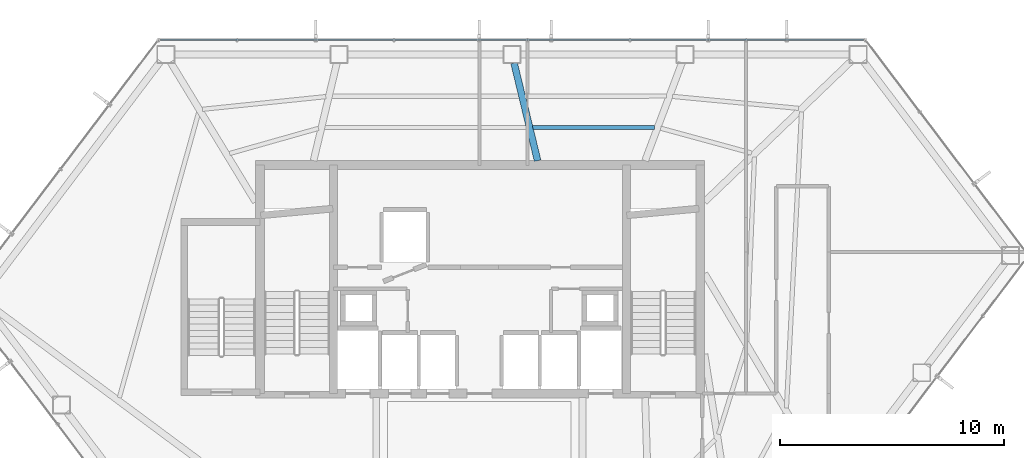
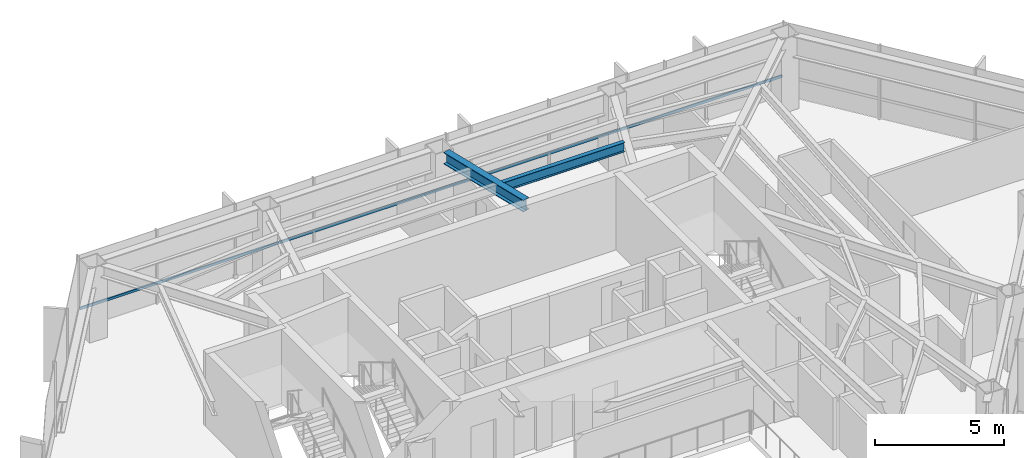
# One storey, part 15 of 28: 2 beams, 1 member, 1 element without a shape of its own.
"""IFC4 building model written with IfcOpenShell, lengths in metres."""

from ifc_helpers import new_model, si_unit, direction, frame, origin, origin_2d, place, context, subcontext, project, spatial, hollow_rectangle, i_section, extrude, material, layer, layer_set, material_profile, profile_set, type_object, element, aggregate, save


model = new_model("IFC4")

# Units and contexts
model_context = context("Model", 3, precision=1e-05, world=origin(), true_north=direction((0.0, 1.0)))
body_context = subcontext(model_context, "Body", "Model", "MODEL_VIEW")
ifc_project = project(units=[si_unit("LENGTHUNIT", "METRE"), si_unit("AREAUNIT", "SQUARE_METRE"), si_unit("VOLUMEUNIT", "CUBIC_METRE"), si_unit("PLANEANGLEUNIT", "RADIAN"), si_unit("MASSUNIT", "GRAM", prefix="KILO")], contexts=[model_context])

# Site, building, storey
site_placement = place(None, origin())
site = spatial("IfcSite", under=ifc_project, at=site_placement, CompositionType="ELEMENT")
building_placement = place(site_placement, origin())
building = spatial("IfcBuilding", under=site, at=building_placement, Name="Zarrinselat Tower", CompositionType="ELEMENT")
storey_placement = place(building_placement, frame((0.0, 0.0, 149.60009765625)))
storey = spatial("IfcBuildingStorey", under=building, at=storey_placement, Name="L36", CompositionType="ELEMENT", Elevation=149.60009765625)

# Beams
ifc_material_1 = material(Name="Steel S355J2", Category="steel")
ifc_material_profile_1 = material_profile(ifc_material_1, i_section(OverallWidth=0.300048828125, OverallDepth=0.550048828125, WebThickness=0.014892578125, FlangeThickness=0.029052734375, at=origin_2d()), Name="HEB 550")
ifc_profile_set_1 = profile_set([ifc_material_profile_1], Name="Steel S355J2")
beam_type_1 = type_object("IfcBeamType", Name="BM-HEB550", PredefinedType="BEAM", material=ifc_profile_set_1)
beam_1_placement = place(storey_placement, frame((39.951416015625, 47.992431640625, 3.224853515625), z_axis=(0.23421228581, -0.972185478793, 0.0), x_axis=(0.972185478793, 0.23421228581, 0.0)))
element("IfcBeam", 1, at=beam_1_placement, inside=storey, type_object=beam_type_1, Name="L36 Radial Primary Girder RG03", PredefinedType="BEAM", context=body_context, shape_type="SweptSolid", body=[
    extrude(i_section(OverallWidth=0.300048828125, OverallDepth=0.550048828125, WebThickness=0.014892578125, FlangeThickness=0.029052734375, at=origin_2d()), origin(), (0.0, 0.0, 1.0), 4.47705078125),
])
ifc_material_2 = material(Name="Steel S355J2", Category="steel")
ifc_material_profile_2 = material_profile(ifc_material_2, i_section(OverallWidth=0.18994140625, OverallDepth=0.449951171875, WebThickness=0.009521484375, FlangeThickness=0.0146484375, at=origin_2d()), Name="IPE 450")
ifc_profile_set_2 = profile_set([ifc_material_profile_2], Name="Steel S355J2")
beam_type_2 = type_object("IfcBeamType", Name="BM-IPE450", PredefinedType="JOIST", material=ifc_profile_set_2)
beam_2_placement = place(storey_placement, frame((40.783447265625, 45.1201171875, 3.27490234375), z_axis=(0.99999963576, 0.000853510313, 0.0), x_axis=(-0.000853510313, 0.99999963576, 0.0)))
element("IfcBeam", 2, at=beam_2_placement, inside=storey, type_object=beam_type_2, Name="L36 Composite Floor Joist 7-2", PredefinedType="JOIST", context=body_context, shape_type="SweptSolid", body=[
    extrude(i_section(OverallWidth=0.18994140625, OverallDepth=0.449951171875, WebThickness=0.009521484375, FlangeThickness=0.0146484375, at=origin_2d()), origin(), (0.0, 0.0, 1.0), 5.434814453125),
])

# Curtain wall, member
ifc_material_3 = material(Name="Extruded Aluminium Alloy EN AW-6063 T6", Category="aluminium")
ifc_layer = layer(ifc_material_3, 0.175048828125)
ifc_layer_set = layer_set([ifc_layer], Name="Extruded Aluminium Alloy EN AW-6063 T6")
curtain_wall_type = type_object("IfcCurtainWallType", Name="CWS-HTL", PredefinedType="NOTDEFINED", material=ifc_layer_set)
curtain_wall_placement = place(storey_placement, origin())
curtain_wall = element("IfcCurtainWall", 3, at=curtain_wall_placement, inside=storey, type_object=curtain_wall_type, Name="L36 Unitised Curtain Wall CW-L36-E01", PredefinedType="NOTDEFINED")
ifc_material_4 = material(Name="Extruded Aluminium Alloy EN AW-6063 T6", Category="aluminium")
ifc_material_profile_3 = material_profile(ifc_material_4, hollow_rectangle(XDim=0.06005859375, YDim=0.1201171875, WallThickness=0.00390625, at=origin_2d()), Name="RHS 120x60x4")
ifc_profile_set_3 = profile_set([ifc_material_profile_3], Name="Extruded Aluminium Alloy EN AW-6063 T6")
member_type = type_object("IfcMemberType", Name="MEM-CW-TRN2", PredefinedType="USERDEFINED", material=ifc_profile_set_3)
member_placement = place(storey_placement, frame((55.542724609375, 49.033203125, 0.949951171875), z_axis=(-1.0, 0.0, 0.0), x_axis=(0.0, -1.0, 0.0)))
member = element("IfcMember", 4, at=member_placement, type_object=member_type, Name="CW-L36-E01 Transom 1", ObjectType="TRANSOM", PredefinedType="USERDEFINED", context=body_context, shape_type="SweptSolid", body=[
    extrude(hollow_rectangle(XDim=0.06005859375, YDim=0.1201171875, WallThickness=0.00390625, at=origin_2d()), origin(), (0.0, 0.0, 1.0), 31.370849609375),
])
aggregate(curtain_wall, [member])

save(model, "model.ifc")
